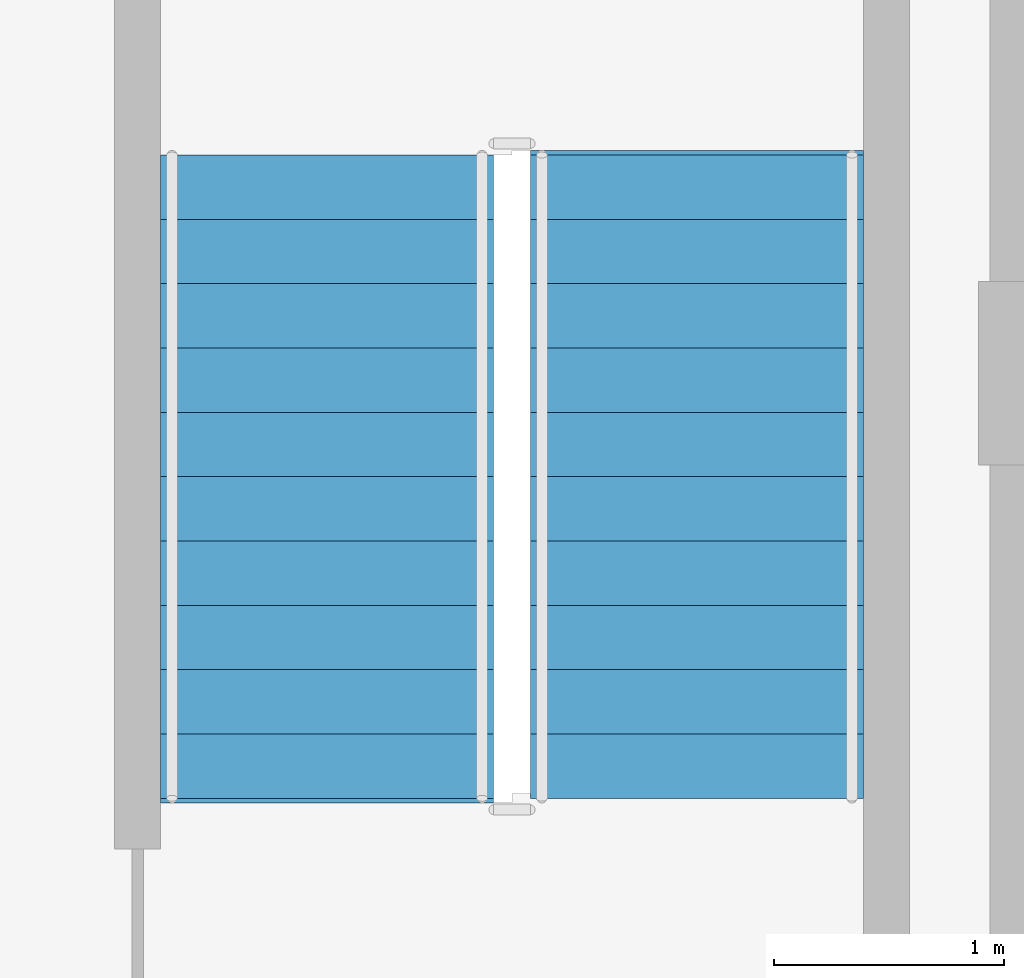
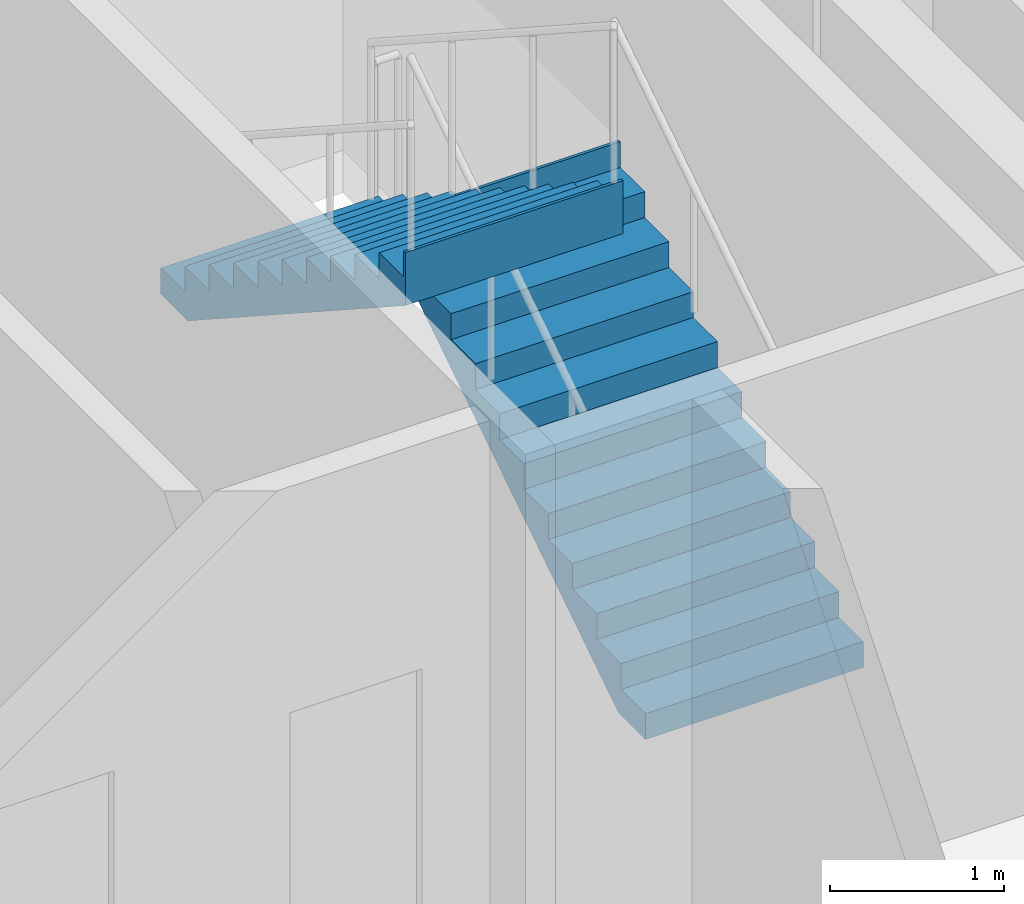
# One storey, part 4 of 10: 2 stair flights, 1 element without a shape of its own.
"""IFC4 building model written with IfcOpenShell, lengths in metres."""

from ifc_helpers import new_model, si_unit, direction, frame, origin, place, context, subcontext, project, spatial, polyline, outline, extrude, material, type_object, element, aggregate, save


model = new_model("IFC4")

# Units and contexts
model_context = context("Model", 3, precision=1e-05, world=origin(), true_north=direction((0.0, 1.0)))
body_context = subcontext(model_context, "Body", "Model", "MODEL_VIEW")
ifc_project = project(units=[si_unit("LENGTHUNIT", "METRE"), si_unit("AREAUNIT", "SQUARE_METRE"), si_unit("VOLUMEUNIT", "CUBIC_METRE"), si_unit("PLANEANGLEUNIT", "RADIAN"), si_unit("MASSUNIT", "GRAM", prefix="KILO")], contexts=[model_context])

# Site, building, storey
site_placement = place(None, origin())
site = spatial("IfcSite", under=ifc_project, at=site_placement, CompositionType="ELEMENT")
building_placement = place(site_placement, origin())
building = spatial("IfcBuilding", under=site, at=building_placement, Name="Nuvemarco Arch Tower", CompositionType="ELEMENT")
storey_placement = place(building_placement, frame((0.0, 0.0, 291.14990234375)))
storey = spatial("IfcBuildingStorey", under=building, at=storey_placement, Name="L77", CompositionType="ELEMENT", Elevation=291.14990234375)

# Stair, stair flights
ifc_material = material(Name="Precast concrete C45/55", Category="concrete")
stair_type = type_object("IfcStairType", Name="ST-CORE-22R", PredefinedType="HALF_TURN_STAIR", material=ifc_material)
stair_placement = place(storey_placement, origin())
stair = element("IfcStair", 1, at=stair_placement, inside=storey, type_object=stair_type, Name="L77 Protected Exit Stair ST-2", PredefinedType="HALF_TURN_STAIR")
stair_flight_type = type_object("IfcStairFlightType", Name="SF-CORE-22R", PredefinedType="STRAIGHT", material=ifc_material)
stair_flight_1_placement = place(storey_placement, frame((15.875, 2.64990234375, 0.0), z_axis=(0.0, 0.0, 1.0), x_axis=(0.0, 1.0, 0.0)))
stair_flight_1 = element("IfcStairFlight", 2, at=stair_flight_1_placement, type_object=stair_flight_type, Name="ST-22R flight 1", NumberOfRisers=11, NumberOfTreads=10, PredefinedType="STRAIGHT", RiserHeight=0.181818182, TreadLength=0.28, context=body_context, shape_type="SweptSolid", body=[
    extrude(outline(polyline([(0.0, 0.0), (0.0, 0.181884765625), (0.280029296875, 0.181884765625), (0.280029296875, 0.363525390625), (0.56005859375, 0.363525390625), (0.56005859375, 0.54541015625), (0.840087890625, 0.54541015625), (0.840087890625, 0.727294921875), (1.1201171875, 0.727294921875), (1.1201171875, 0.9091796875), (1.39990234375, 0.9091796875), (1.39990234375, 1.0908203125), (1.679931640625, 1.0908203125), (1.679931640625, 1.272705078125), (1.9599609375, 1.272705078125), (1.9599609375, 1.45458984375), (2.239990234375, 1.45458984375), (2.239990234375, 1.636474609375), (2.52001953125, 1.636474609375), (2.52001953125, 1.818115234375), (2.800048828125, 1.818115234375), (2.800048828125, 2.0), (2.820068359375, 2.0), (2.820068359375, 1.62744140625), (0.313720703125, 0.0), (0.0, 0.0)])), frame((0.0, 0.72509765625, 0.0), z_axis=(0.0, -1.0, 0.0), x_axis=(1.0, 0.0, 0.0)), (0.0, 0.0, 1.0), 1.449951171875),
])
stair_flight_2_placement = place(storey_placement, frame((14.264892578125, 5.449951171875, 2.0), z_axis=(0.0, 0.0, 1.0), x_axis=(0.0, -1.0, 0.0)))
stair_flight_2 = element("IfcStairFlight", 3, at=stair_flight_2_placement, type_object=stair_flight_type, Name="ST-22R flight 2", NumberOfRisers=11, NumberOfTreads=10, PredefinedType="STRAIGHT", RiserHeight=0.181818182, TreadLength=0.28, context=body_context, shape_type="SweptSolid", body=[
    extrude(outline(polyline([(0.0, 0.0), (0.0, 0.181884765625), (0.280029296875, 0.181884765625), (0.280029296875, 0.363525390625), (0.56005859375, 0.363525390625), (0.56005859375, 0.54541015625), (0.840087890625, 0.54541015625), (0.840087890625, 0.727294921875), (1.1201171875, 0.727294921875), (1.1201171875, 0.9091796875), (1.39990234375, 0.9091796875), (1.39990234375, 1.0908203125), (1.679931640625, 1.0908203125), (1.679931640625, 1.272705078125), (1.9599609375, 1.272705078125), (1.9599609375, 1.45458984375), (2.239990234375, 1.45458984375), (2.239990234375, 1.636474609375), (2.52001953125, 1.636474609375), (2.52001953125, 1.818115234375), (2.800048828125, 1.818115234375), (2.800048828125, 2.0), (2.820068359375, 2.0), (2.820068359375, 1.62744140625), (0.313720703125, 0.0), (0.0, 0.0)])), frame((0.0, 0.72509765625, 0.0), z_axis=(0.0, -1.0, 0.0), x_axis=(1.0, 0.0, 0.0)), (0.0, 0.0, 1.0), 1.449951171875),
])
aggregate(stair, [stair_flight_1, stair_flight_2])

save(model, "model.ifc")
